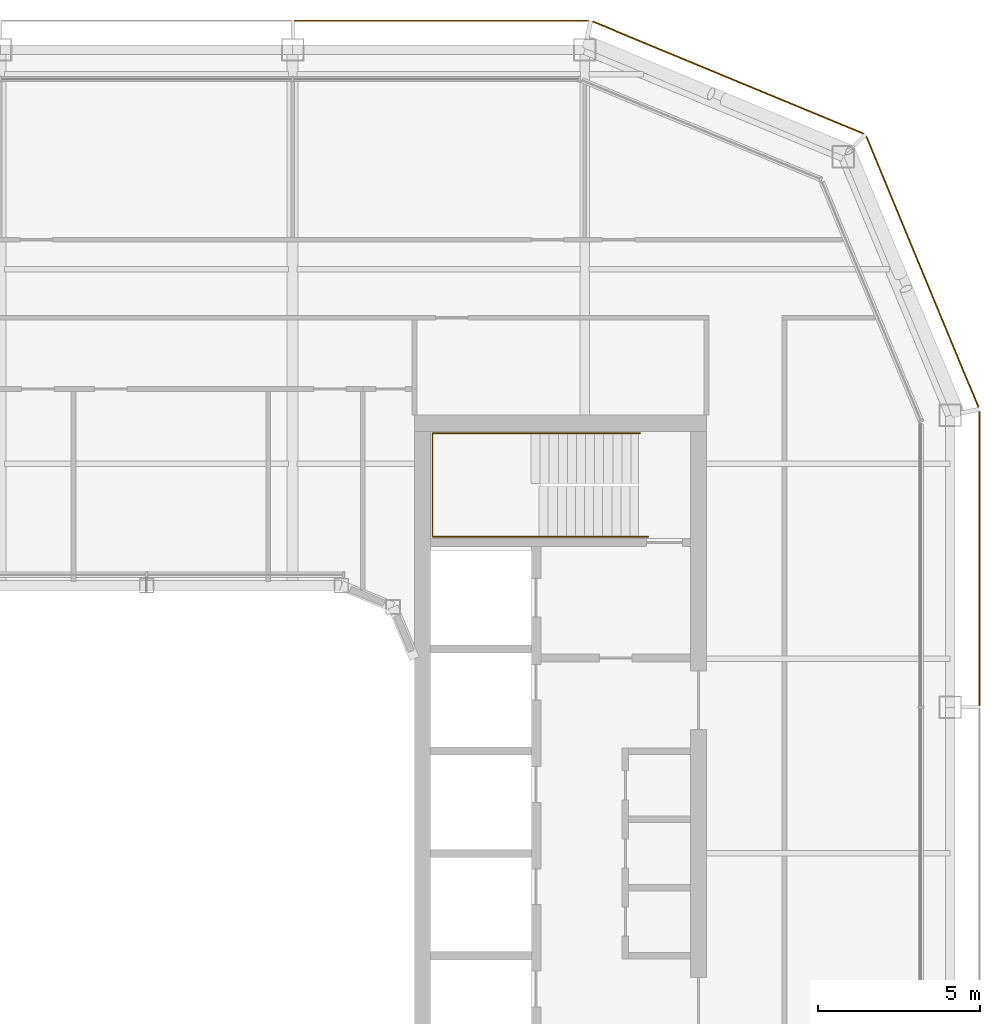
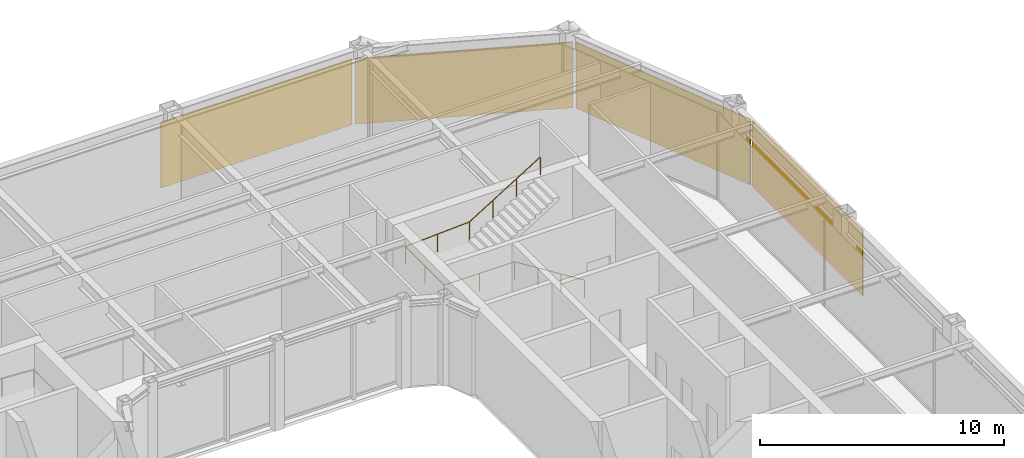
# One storey, part 18 of 18: 4 coverings, 1 railing.
"""IFC4 building model written with IfcOpenShell, lengths in metres."""

from ifc_helpers import new_model, si_unit, direction, frame, origin, origin_2d, place, context, subcontext, project, spatial, rectangle, circle, extrude, material, layer, layer_set, type_object, element, save


model = new_model("IFC4")

# Units and contexts
model_context = context("Model", 3, precision=1e-05, world=origin(), true_north=direction((0.0, 1.0)))
body_context = subcontext(model_context, "Body", "Model", "MODEL_VIEW")
ifc_project = project(units=[si_unit("LENGTHUNIT", "METRE"), si_unit("AREAUNIT", "SQUARE_METRE"), si_unit("VOLUMEUNIT", "CUBIC_METRE"), si_unit("PLANEANGLEUNIT", "RADIAN"), si_unit("MASSUNIT", "GRAM", prefix="KILO")], contexts=[model_context])

# Site, building, storey
site_placement = place(None, origin())
site = spatial("IfcSite", under=ifc_project, at=site_placement, CompositionType="ELEMENT")
building_placement = place(site_placement, origin())
building = spatial("IfcBuilding", under=site, at=building_placement, Name="Siwar Civic Tower", CompositionType="ELEMENT")
storey_placement = place(building_placement, frame((0.0, 0.0, 321.199951171875)))
storey = spatial("IfcBuildingStorey", under=building, at=storey_placement, Name="L69", CompositionType="ELEMENT", Elevation=321.199951171875)

# Railing
ifc_material_1 = material(Name="Stainless steel", Category="steel")
railing_type = type_object("IfcRailingType", Name="CORE-STAIR-HANDRAIL", PredefinedType="HANDRAIL", material=ifc_material_1)
railing_placement = place(storey_placement, frame((15.449951171875, 9.758056640625, 0.173095703125)))
element("IfcRailing", 1, at=railing_placement, inside=storey, type_object=railing_type, Name="Stair handrail ST3", PredefinedType="HANDRAIL", context=body_context, shape_type="SweptSolid", body=[
    extrude(circle(Radius=0.02001953125, at=origin_2d()), frame((0.0, 0.0, 0.8798828125), z_axis=(-0.847063342986, 0.0, 0.531491950051), x_axis=(0.0, -1.0, 0.0)), (0.0, 0.0, 1.0), 3.90771484375),
    extrude(circle(Radius=0.02001953125, at=origin_2d()), frame((-3.31005859375, 0.0, 2.956787109375), z_axis=(-1.0, 0.0, 0.0), x_axis=(0.0, -1.0, 0.0)), (0.0, 0.0, 1.0), 3.331787109375),
    extrude(circle(Radius=0.02001953125, at=origin_2d()), frame((-6.641845703125, 0.0, 2.956787109375), z_axis=(0.0, 1.0, 0.0), x_axis=(-1.0, 0.0, 0.0)), (0.0, 0.0, 1.0), 3.183837890625),
    extrude(circle(Radius=0.02001953125, at=origin_2d()), frame((-6.641845703125, 3.183837890625, 2.956787109375), z_axis=(0.99837434197, 0.0, 0.056997134106), x_axis=(0.0, 1.0, 0.0)), (0.0, 0.0, 1.0), 3.036865234375),
    extrude(circle(Radius=0.02001953125, at=origin_2d()), frame((-3.60986328125, 3.183837890625, 3.1298828125), z_axis=(0.850606129759, 0.0, 0.525803396734), x_axis=(0.0, 1.0, 0.0)), (0.0, 0.0, 1.0), 3.949951171875),
    extrude(circle(Radius=0.02001953125, at=origin_2d()), origin(), (0.0, 0.0, 1.0), 0.85986328125),
    extrude(circle(Radius=0.02001953125, at=origin_2d()), frame((-1.103271484375, 0.0, 0.6923828125)), (0.0, 0.0, 1.0), 0.85986328125),
    extrude(circle(Radius=0.02001953125, at=origin_2d()), frame((-2.206787109375, 0.0, 1.384521484375)), (0.0, 0.0, 1.0), 0.85986328125),
    extrude(circle(Radius=0.02001953125, at=origin_2d()), frame((-3.31005859375, 0.0, 2.076904296875)), (0.0, 0.0, 1.0), 0.85986328125),
    extrude(circle(Radius=0.02001953125, at=origin_2d()), frame((-4.97607421875, 0.0, 2.076904296875)), (0.0, 0.0, 1.0), 0.85986328125),
    extrude(circle(Radius=0.02001953125, at=origin_2d()), frame((-6.641845703125, 0.0, 2.076904296875)), (0.0, 0.0, 1.0), 0.85986328125),
    extrude(circle(Radius=0.02001953125, at=origin_2d()), frame((-6.641845703125, 1.591796875, 2.076904296875)), (0.0, 0.0, 1.0), 0.85986328125),
    extrude(circle(Radius=0.02001953125, at=origin_2d()), frame((-6.641845703125, 3.183837890625, 2.076904296875)), (0.0, 0.0, 1.0), 0.85986328125),
    extrude(circle(Radius=0.02001953125, at=origin_2d()), frame((-5.1259765625, 3.183837890625, 2.16357421875)), (0.0, 0.0, 1.0), 0.85986328125),
    extrude(circle(Radius=0.02001953125, at=origin_2d()), frame((-3.60986328125, 3.183837890625, 2.25)), (0.0, 0.0, 1.0), 0.85986328125),
    extrude(circle(Radius=0.02001953125, at=origin_2d()), frame((-2.489990234375, 3.183837890625, 2.9423828125)), (0.0, 0.0, 1.0), 0.85986328125),
    extrude(circle(Radius=0.02001953125, at=origin_2d()), frame((-1.369873046875, 3.183837890625, 3.634521484375)), (0.0, 0.0, 1.0), 0.85986328125),
    extrude(circle(Radius=0.02001953125, at=origin_2d()), frame((-0.25, 3.183837890625, 4.326904296875)), (0.0, 0.0, 1.0), 0.85986328125),
])

# Coverings
ifc_material_2 = material(Name="Perforated aluminium cassette, pale metal", Category="aluminium")
ifc_layer = layer(ifc_material_2, 0.0400390625)
ifc_layer_set = layer_set([ifc_layer], Name="Perforated aluminium cassette, pale metal")
covering_type = type_object("IfcCoveringType", Name="ENV-OUTER SKIN OS-1", PredefinedType="CLADDING", material=ifc_layer_set)
covering_1_placement = place(storey_placement, frame((25.64990234375, 9.07958984375, -0.14990234375), z_axis=(0.0, 0.0, 1.0), x_axis=(0.0, 1.0, 0.0)))
element("IfcCovering", 2, at=covering_1_placement, inside=storey, type_object=covering_type, Name="OUTER SKIN OS-1 E 3", PredefinedType="CLADDING", context=body_context, shape_type="SweptSolid", body=[
    extrude(rectangle(XDim=9.05908203125, YDim=0.0400390625, at=origin_2d()), origin(), (0.0, 0.0, 1.0), 3.300048828125),
])
for number, where, z_axis, x_axis, name in (
    (3, (23.89697265625, 17.911376953125, -0.14990234375), (0.0, 0.0, 1.0), (-0.382683432365, 0.923879532511, 0.0), "OUTER SKIN OS-1 NE1 1"),
    (4, (17.911376953125, 23.89697265625, -0.14990234375), (0.0, 0.0, 1.0), (-0.923879532511, 0.382683432365, 0.0), "OUTER SKIN OS-1 NE2 1"),
):
    element("IfcCovering", number, at=place(storey_placement, frame(where, z_axis=z_axis, x_axis=x_axis)), inside=storey, type_object=covering_type, Name=name, PredefinedType="CLADDING", context=body_context, shape_type="SweptSolid", body=[
        extrude(rectangle(XDim=9.022216796875, YDim=0.0400390625, at=origin_2d()), origin(), (0.0, 0.0, 1.0), 3.300048828125),
    ])
covering_2_placement = place(storey_placement, frame((9.07958984375, 25.64990234375, -0.14990234375), z_axis=(0.0, 0.0, 1.0), x_axis=(-1.0, 0.0, 0.0)))
element("IfcCovering", 5, at=covering_2_placement, inside=storey, type_object=covering_type, Name="OUTER SKIN OS-1 N 1", PredefinedType="CLADDING", context=body_context, shape_type="SweptSolid", body=[
    extrude(rectangle(XDim=9.05908203125, YDim=0.0400390625, at=origin_2d()), origin(), (0.0, 0.0, 1.0), 3.300048828125),
])

save(model, "model.ifc")
